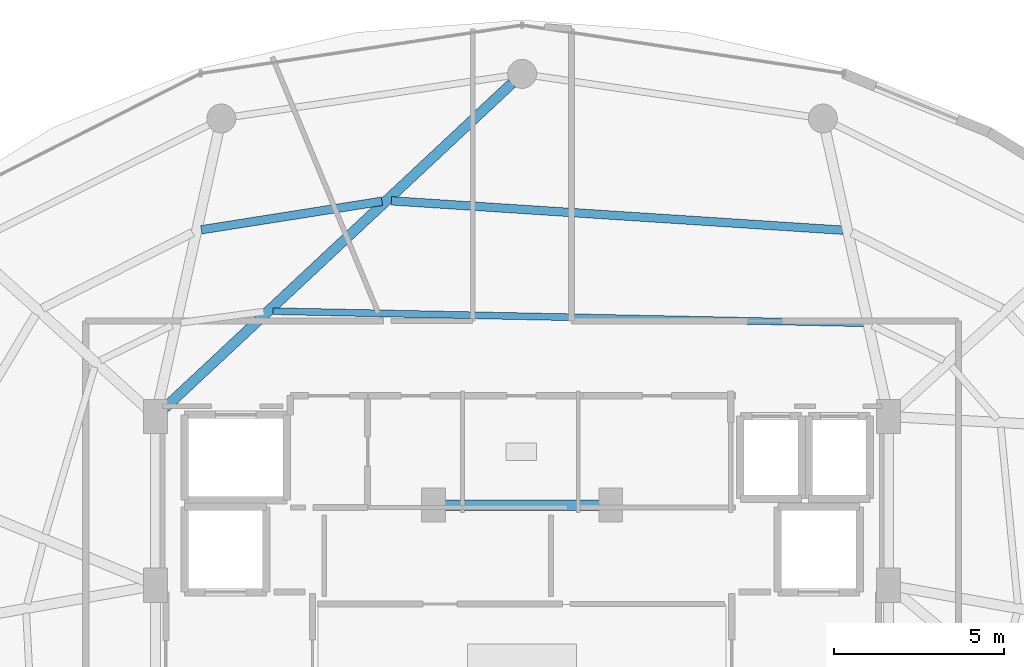
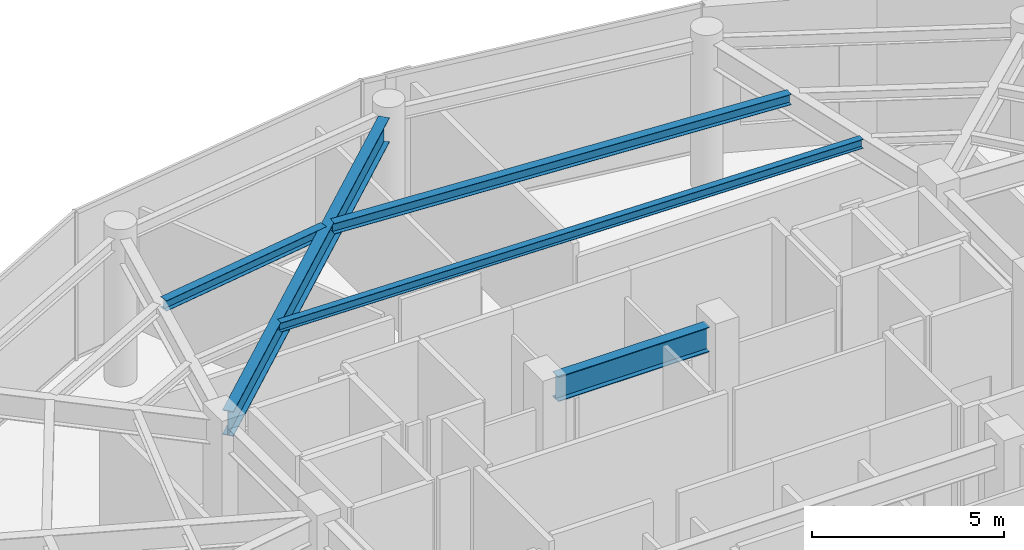
# One storey, part 10 of 24: 5 beams.
"""IFC4 building model written with IfcOpenShell, lengths in metres."""

from ifc_helpers import new_model, si_unit, direction, frame, origin, origin_2d, place, context, subcontext, project, spatial, i_section, extrude, material, material_profile, profile_set, type_object, element, save


model = new_model("IFC4")

# Units and contexts
model_context = context("Model", 3, precision=1e-05, world=origin(), true_north=direction((0.0, 1.0)))
body_context = subcontext(model_context, "Body", "Model", "MODEL_VIEW")
ifc_project = project(units=[si_unit("LENGTHUNIT", "METRE"), si_unit("AREAUNIT", "SQUARE_METRE"), si_unit("VOLUMEUNIT", "CUBIC_METRE"), si_unit("PLANEANGLEUNIT", "RADIAN"), si_unit("MASSUNIT", "GRAM", prefix="KILO")], contexts=[model_context])

# Site, building, storey
site_placement = place(None, origin())
site = spatial("IfcSite", under=ifc_project, at=site_placement, CompositionType="ELEMENT")
building_placement = place(site_placement, origin())
building = spatial("IfcBuilding", under=site, at=building_placement, Name="Vorneva Point Tower", CompositionType="ELEMENT")
storey_placement = place(building_placement, frame((0.0, 0.0, 285.39990234375)))
storey = spatial("IfcBuildingStorey", under=building, at=storey_placement, Name="L77", CompositionType="ELEMENT", Elevation=285.39990234375)

# Beams
ifc_material = material(Name="Steel S355", Category="steel")
ifc_material_profile_1 = material_profile(ifc_material, i_section(OverallWidth=0.300048828125, OverallDepth=0.7880859375, WebThickness=0.014404296875, FlangeThickness=0.02197265625, at=origin_2d()), Name="80Sh1")
ifc_profile_set_1 = profile_set([ifc_material_profile_1], Name="Steel S355")
beam_type_1 = type_object("IfcBeamType", Name="BM-GRD-80Sh1", PredefinedType="USERDEFINED", material=ifc_profile_set_1)
beam_1_placement = place(storey_placement, frame((37.6982421875, 42.91796875, 4.296142578125), z_axis=(-0.730485790946, -0.682927894602, 0.0), x_axis=(0.682927894602, -0.730485790946, 0.0)))
element("IfcBeam", 1, at=beam_1_placement, inside=storey, type_object=beam_type_1, Name="L77 Radial Primary Girder 05", ObjectType="GIRDER", PredefinedType="USERDEFINED", context=body_context, shape_type="SweptSolid", body=[
    extrude(i_section(OverallWidth=0.300048828125, OverallDepth=0.7880859375, WebThickness=0.014404296875, FlangeThickness=0.02197265625, at=origin_2d()), origin(), (0.0, 0.0, 1.0), 13.963134765625),
])
beam_2_placement = place(storey_placement, frame((35.719970703125, 30.550048828125, 4.296142578125), z_axis=(1.0, 0.0, 0.0), x_axis=(0.0, 1.0, 0.0)))
element("IfcBeam", 2, at=beam_2_placement, inside=storey, type_object=beam_type_1, Name="L77 Core Tie Girder CT8", ObjectType="GIRDER", PredefinedType="USERDEFINED", context=body_context, shape_type="SweptSolid", body=[
    extrude(i_section(OverallWidth=0.300048828125, OverallDepth=0.7880859375, WebThickness=0.014404296875, FlangeThickness=0.02197265625, at=origin_2d()), origin(), (0.0, 0.0, 1.0), 4.56005859375),
])
ifc_material_profile_2 = material_profile(ifc_material, i_section(OverallWidth=0.199951171875, OverallDepth=0.291015625, WebThickness=0.008056640625, FlangeThickness=0.010986328125, at=origin_2d()), Name="30Sh1")
ifc_profile_set_2 = profile_set([ifc_material_profile_2], Name="Steel S355")
beam_type_2 = type_object("IfcBeamType", Name="BM-SEC-30Sh1", PredefinedType="BEAM", material=ifc_profile_set_2)
beam_3_placement = place(storey_placement, frame((48.0087890625, 35.886474609375, 4.544677734375), z_axis=(-0.999791583609, 0.020415419295, 0.0), x_axis=(-0.020415419295, -0.999791583609, 0.0)))
element("IfcBeam", 3, at=beam_3_placement, inside=storey, type_object=beam_type_2, Name="L77 Secondary Floor Beam 2.04", PredefinedType="BEAM", context=body_context, shape_type="SweptSolid", body=[
    extrude(i_section(OverallWidth=0.199951171875, OverallDepth=0.291015625, WebThickness=0.008056640625, FlangeThickness=0.010986328125, at=origin_2d()), origin(), (0.0, 0.0, 1.0), 17.316162109375),
])
ifc_material_profile_3 = material_profile(ifc_material, i_section(OverallWidth=0.2490234375, OverallDepth=0.333984375, WebThickness=0.008056640625, FlangeThickness=0.010986328125, at=origin_2d()), Name="35Sh1")
ifc_profile_set_3 = profile_set([ifc_material_profile_3], Name="Steel S355")
beam_type_3 = type_object("IfcBeamType", Name="BM-SEC-35Sh1", PredefinedType="BEAM", material=ifc_profile_set_3)
beam_4_placement = place(storey_placement, frame((47.408203125, 38.614501953125, 4.523193359375), z_axis=(-0.997889548282, 0.064934193066, 0.0), x_axis=(-0.064934193066, -0.997889548282, 0.0)))
element("IfcBeam", 4, at=beam_4_placement, inside=storey, type_object=beam_type_3, Name="L77 Secondary Floor Beam 1.04", PredefinedType="BEAM", context=body_context, shape_type="SweptSolid", body=[
    extrude(i_section(OverallWidth=0.2490234375, OverallDepth=0.333984375, WebThickness=0.008056640625, FlangeThickness=0.010986328125, at=origin_2d()), origin(), (0.0, 0.0, 1.0), 13.272216796875),
])
beam_5_placement = place(storey_placement, frame((33.889892578125, 39.463623046875, 4.523193359375), z_axis=(-0.987765916795, -0.15594387971, 0.0), x_axis=(0.15594387971, -0.987765916795, 0.0)))
element("IfcBeam", 5, at=beam_5_placement, inside=storey, type_object=beam_type_3, Name="L77 Secondary Floor Beam 1.05", PredefinedType="BEAM", context=body_context, shape_type="SweptSolid", body=[
    extrude(i_section(OverallWidth=0.2490234375, OverallDepth=0.333984375, WebThickness=0.008056640625, FlangeThickness=0.010986328125, at=origin_2d()), origin(), (0.0, 0.0, 1.0), 5.365234375),
])

save(model, "model.ifc")
